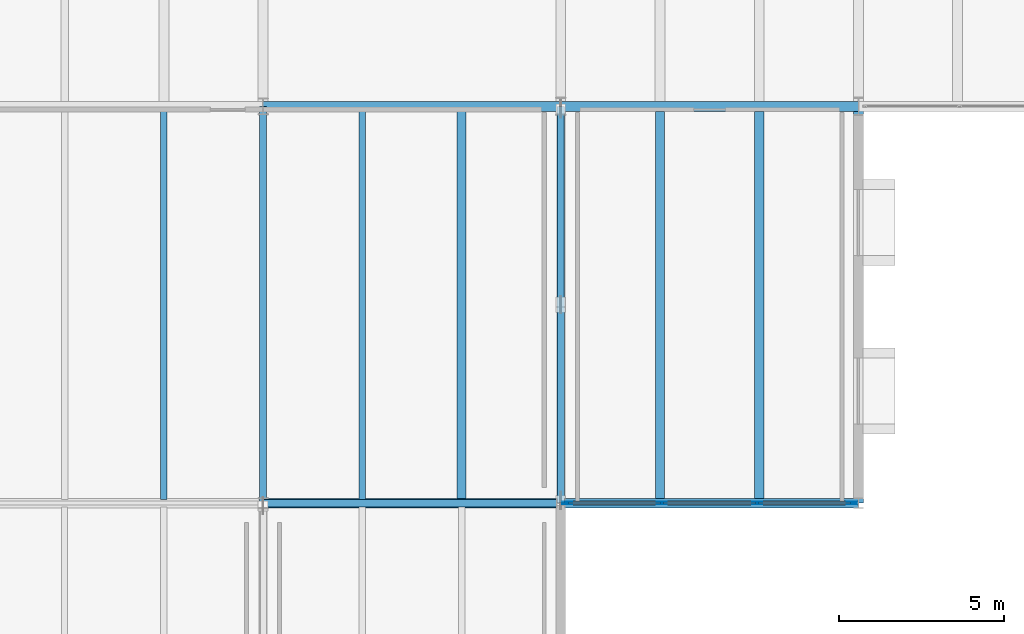
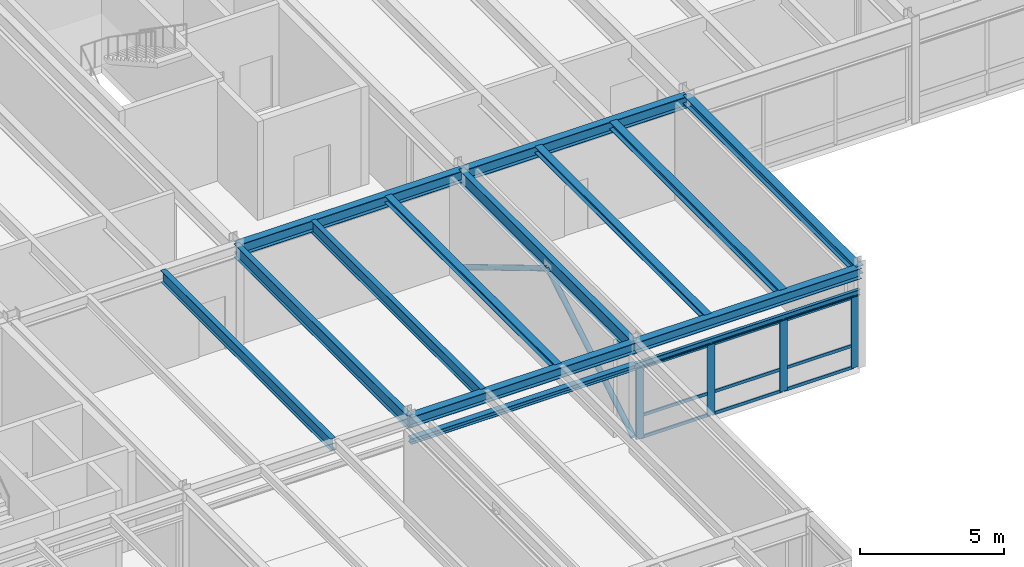
# One storey, part 81 of 115: 15 members, 14 beams, 1 element without a shape of its own.
"""IFC4 building model written with IfcOpenShell, lengths in metres."""

import ifcopenshell
import ifcopenshell.guid

model = None  # the IFC model being written
_history = None  # IfcOwnerHistory: only IFC2X3 demands one
_inside = {}  # id of a spatial element -> (the spatial element, [elements in it])
_under = {}  # id of a project, library or spatial element -> (it, [spatial elements below it])
_declared = {}  # id of a project -> (the project, [libraries it declares])
_typed = {}  # id of a type object -> (the type object, [elements of that type])
_made_of = {}  # id of a material, layer set ... -> (it, [elements and type objects made of it])


def new_model(schema):
    """Start an empty IFC model of exactly this schema.

    Asked for "IFC4X3", IfcOpenShell would pick the latest addendum, in which some entities
    have other attributes; the version numbers below select the first issue.
    IFC2X3 requires an IfcOwnerHistory on every rooted entity: one is made here for all.
    """
    global model, _history
    if schema == "IFC4X3":
        model = ifcopenshell.file(schema_version=(4, 3, 0, 0))
    else:
        model = ifcopenshell.file(schema=schema)
    _inside.clear()
    _under.clear()
    _declared.clear()
    _typed.clear()
    _made_of.clear()
    _history = None
    if model.schema == "IFC2X3":
        org = make("IfcOrganization", Name="unknown")
        user = make(
            "IfcPersonAndOrganization",
            ThePerson=make("IfcPerson", FamilyName="unknown"),
            TheOrganization=org,
        )
        app = make(
            "IfcApplication",
            ApplicationDeveloper=org,
            Version="unknown",
            ApplicationFullName="unknown",
            ApplicationIdentifier="unknown",
        )
        _history = make(
            "IfcOwnerHistory",
            OwningUser=user,
            OwningApplication=app,
            ChangeAction="ADDED",
            CreationDate=0,
        )
    return model


def make(cls, **values):
    """One entity of the class cls with the attributes given. An attribute that is None is left unset."""
    return model.create_entity(
        cls, **{name: value for name, value in values.items() if value is not None}
    )


def rooted(cls, **values):
    """An entity with a GlobalId (a new one), such as an element, a storey or a relation."""
    return make(cls, GlobalId=ifcopenshell.guid.new(), OwnerHistory=_history, **values)


def si_unit(unit_type, name, prefix=None):
    """IfcSIUnit, for example si_unit("LENGTHUNIT", "METRE", prefix="MILLI")."""
    return make("IfcSIUnit", UnitType=unit_type, Prefix=prefix, Name=name)


def assignment(units):
    """IfcUnitAssignment: the units of a project."""
    return None if units is None else make("IfcUnitAssignment", Units=units)


def point(xyz):
    """IfcCartesianPoint."""
    return None if xyz is None else make("IfcCartesianPoint", Coordinates=xyz)


def direction(xyz):
    """IfcDirection."""
    return None if xyz is None else make("IfcDirection", DirectionRatios=xyz)


def frame(location, z_axis=None, x_axis=None):
    """IfcAxis2Placement3D, a coordinate frame: its origin and axes. An axis left out is left unset."""
    return make(
        "IfcAxis2Placement3D",
        Location=point(location),
        Axis=direction(z_axis),
        RefDirection=direction(x_axis),
    )


def frame_2d(location, x_axis=None):
    """IfcAxis2Placement2D, a coordinate frame in the plane: its origin and x axis."""
    return make(
        "IfcAxis2Placement2D", Location=point(location), RefDirection=direction(x_axis)
    )


def origin():
    """The frame at (0, 0, 0) with its axes left unset."""
    return frame((0.0, 0.0, 0.0))


def origin_2d():
    """The frame at (0, 0) in the plane with its x axis left unset."""
    return frame_2d((0.0, 0.0))


def place(relative_to, where):
    """IfcLocalPlacement: puts the frame where relative to a parent placement (None: the world)."""
    return make(
        "IfcLocalPlacement", PlacementRelTo=relative_to, RelativePlacement=where
    )


def context(
    kind, dimensions, precision=None, world=None, true_north=None, identifier=None
):
    """IfcGeometricRepresentationContext, for example the 3D "Model" context."""
    return make(
        "IfcGeometricRepresentationContext",
        ContextIdentifier=identifier,
        ContextType=kind,
        CoordinateSpaceDimension=dimensions,
        Precision=precision,
        WorldCoordinateSystem=world,
        TrueNorth=true_north,
    )


def subcontext(parent, identifier, kind, view, scale=None):
    """IfcGeometricRepresentationSubContext, for example "Body" below "Model"."""
    return make(
        "IfcGeometricRepresentationSubContext",
        ContextIdentifier=identifier,
        ContextType=kind,
        ParentContext=parent,
        TargetScale=scale,
        TargetView=view,
    )


def project(units=None, contexts=None):
    """IfcProject with its units and contexts."""
    return rooted(
        "IfcProject",
        Name="project",
        RepresentationContexts=contexts,
        UnitsInContext=assignment(units),
    )


def spatial(cls, under=None, at=None, **own):
    """A site, building, storey or space (cls), placed at a placement, below another one or the project."""
    s = rooted(cls, ObjectPlacement=at, **own)
    if under is not None:
        _under.setdefault(under.id(), (under, []))[1].append(s)
    return s


def profile(cls, at=None, kind="AREA", **sizes):
    """A parametric profile (cls). Its sizes go by their IFC names, for example OverallWidth=200.0."""
    return make(cls, ProfileType=kind, Position=at, **sizes)


def hollow_rectangle(**sizes):
    """IfcRectangleHollowProfileDef."""
    return profile("IfcRectangleHollowProfileDef", **sizes)


def hollow_circle(**sizes):
    """IfcCircleHollowProfileDef."""
    return profile("IfcCircleHollowProfileDef", **sizes)


def i_section(**sizes):
    """IfcIShapeProfileDef."""
    return profile("IfcIShapeProfileDef", **sizes)


def extrude(swept, where, along, depth):
    """IfcExtrudedAreaSolid: the profile swept, set in the frame where, extruded along a direction by depth."""
    return make(
        "IfcExtrudedAreaSolid",
        SweptArea=swept,
        Position=where,
        ExtrudedDirection=direction(along),
        Depth=depth,
    )


def shape(context_of_items, identifier, shape_type, items):
    """IfcShapeRepresentation: the items that make up one representation, for example the "Body"."""
    return make(
        "IfcShapeRepresentation",
        ContextOfItems=context_of_items,
        RepresentationIdentifier=identifier,
        RepresentationType=shape_type,
        Items=items,
    )


def material(Name=None, Category=None):
    """IfcMaterial."""
    return make("IfcMaterial", Name=Name, Category=Category)


def layer(
    of_material, thickness, ventilated=None, Name=None, Category=None, Priority=None
):
    """IfcMaterialLayer: one layer of a wall or slab, of a material (None: an air gap)."""
    return make(
        "IfcMaterialLayer",
        Material=of_material,
        LayerThickness=thickness,
        IsVentilated=ventilated,
        Name=Name,
        Category=Category,
        Priority=Priority,
    )


def layer_set(layers, Name=None):
    """IfcMaterialLayerSet."""
    return make("IfcMaterialLayerSet", MaterialLayers=layers, LayerSetName=Name)


def material_profile(
    of_material, cross_section, Name=None, Category=None, Priority=None
):
    """IfcMaterialProfile: a cross section and its material."""
    return make(
        "IfcMaterialProfile",
        Name=Name,
        Material=of_material,
        Profile=cross_section,
        Priority=Priority,
        Category=Category,
    )


def profile_set(profiles, Name=None, composite=None):
    """IfcMaterialProfileSet."""
    return make(
        "IfcMaterialProfileSet",
        Name=Name,
        MaterialProfiles=profiles,
        CompositeProfile=composite,
    )


def made_of(thing, what):
    """Note that an element or type object is made of a material, layer set ...; save() writes the relation."""
    if what is not None:
        _made_of.setdefault(what.id(), (what, []))[1].append(thing)
    return thing


def type_object(cls, material=None, **own):
    """A type object (cls), such as IfcWallType, which elements share."""
    return made_of(rooted(cls, **own), material)


def element(
    cls,
    number,
    at=None,
    inside=None,
    cuts=None,
    type_object=None,
    material=None,
    context=None,
    identifier="Body",
    shape_type=None,
    held_by="IfcProductDefinitionShape",
    body=None,
    shapes=None,
    **own,
):
    """One element of the class cls, such as IfcWall. Its Tag is "e" and its number.

    at: its placement. inside: the storey or other place that contains it. cuts: it is an
    opening in that element (IfcRelVoidsElement). A single representation is given by context,
    identifier, shape_type and body (its items); several are given by shapes. held_by: the class
    of the entity that holds the representations. save() writes the other relations.
    """
    e = rooted(cls, Tag="e%d" % number, ObjectPlacement=at, **own)
    if body is not None:
        shapes = [shape(context, identifier, shape_type, body)]
    if shapes is not None:
        e.Representation = make(held_by, Representations=shapes)
    if inside is not None:
        _inside.setdefault(inside.id(), (inside, []))[1].append(e)
    if cuts is not None:
        rooted(
            "IfcRelVoidsElement", RelatingBuildingElement=cuts, RelatedOpeningElement=e
        )
    if type_object is not None:
        _typed.setdefault(type_object.id(), (type_object, []))[1].append(e)
    return made_of(e, material)


def aggregate(whole, parts):
    """IfcRelAggregates: a whole, such as a stair, and the parts it consists of."""
    return rooted("IfcRelAggregates", RelatingObject=whole, RelatedObjects=parts)


def save(model, path):
    """Write the relations noted so far, then the file.

    IfcRelAggregates (storeys below a building ...), IfcRelContainedInSpatialStructure (elements
    in a storey), IfcRelDefinesByType, IfcRelAssociatesMaterial and IfcRelDeclares: one each for
    every whole, place, type object, material and project.
    """
    for whole, parts in _under.values():
        aggregate(whole, parts)
    for where, things in _inside.values():
        rooted(
            "IfcRelContainedInSpatialStructure",
            RelatedElements=things,
            RelatingStructure=where,
        )
    for kind, things in _typed.values():
        rooted("IfcRelDefinesByType", RelatedObjects=things, RelatingType=kind)
    for what, things in _made_of.values():
        rooted("IfcRelAssociatesMaterial", RelatedObjects=things, RelatingMaterial=what)
    for by, libraries in _declared.values():
        rooted("IfcRelDeclares", RelatingContext=by, RelatedDefinitions=libraries)
    model.write(path)


model = new_model("IFC4")

# Units and contexts
model_context = context("Model", 3, precision=1e-05, world=origin(), true_north=direction((0.0, 1.0)))
body_context = subcontext(model_context, "Body", "Model", "MODEL_VIEW")
ifc_project = project(units=[si_unit("LENGTHUNIT", "METRE"), si_unit("AREAUNIT", "SQUARE_METRE"), si_unit("VOLUMEUNIT", "CUBIC_METRE"), si_unit("PLANEANGLEUNIT", "RADIAN"), si_unit("MASSUNIT", "GRAM", prefix="KILO")], contexts=[model_context])

# Site, building, storey
site_placement = place(None, origin())
site = spatial("IfcSite", under=ifc_project, at=site_placement, CompositionType="ELEMENT")
building_placement = place(site_placement, origin())
building = spatial("IfcBuilding", under=site, at=building_placement, Name="Montelvaro Courts of Justice", CompositionType="ELEMENT")
storey_placement = place(building_placement, frame((0.0, 0.0, 9.89990234375)))
storey = spatial("IfcBuildingStorey", under=building, at=storey_placement, Name="L02", CompositionType="ELEMENT", Elevation=9.89990234375)

# Beams
ifc_material_1 = material(Name="Steel S355", Category="steel")
ifc_material_profile_1 = material_profile(ifc_material_1, i_section(OverallWidth=0.239990234375, OverallDepth=0.22998046875, WebThickness=0.007568359375, FlangeThickness=0.011962890625, at=origin_2d()), Name="HEA 240")
ifc_profile_set_1 = profile_set([ifc_material_profile_1], Name="Steel S355")
beam_type_1 = type_object("IfcBeamType", Name="Beam_HEA240", PredefinedType="LINTEL", material=ifc_profile_set_1)
beam_1_placement = place(storey_placement, frame((117.0, 66.0, 3.135009765625), z_axis=(1.0, 0.0, 0.0), x_axis=(0.0, 1.0, 0.0)))
element("IfcBeam", 1, at=beam_1_placement, inside=storey, type_object=beam_type_1, Name="Beam B-13 L02", PredefinedType="LINTEL", context=body_context, shape_type="SweptSolid", body=[
    extrude(i_section(OverallWidth=0.239990234375, OverallDepth=0.22998046875, WebThickness=0.007568359375, FlangeThickness=0.011962890625, at=origin_2d()), origin(), (0.0, 0.0, 1.0), 9.0),
])
ifc_material_profile_2 = material_profile(ifc_material_1, i_section(OverallWidth=0.280029296875, OverallDepth=0.27001953125, WebThickness=0.008056640625, FlangeThickness=0.012939453125, at=origin_2d()), Name="HEA 280")
ifc_profile_set_2 = profile_set([ifc_material_profile_2], Name="Steel S355")
beam_type_2 = type_object("IfcBeamType", Name="Beam_HEA280", PredefinedType="BEAM", material=ifc_profile_set_2)
for number, where, z_axis, x_axis, name in (
    (2, (123.0, 66.110107421875, 4.065185546875), (0.0, 1.0, 0.0), (-1.0, 0.0, 0.0), "Beam B-14 L02"),
    (3, (129.0, 66.110107421875, 4.065185546875), (0.0, 1.0, 0.0), (-1.0, 0.0, 0.0), "Beam B-14 L02"),
):
    element("IfcBeam", number, at=place(storey_placement, frame(where, z_axis=z_axis, x_axis=x_axis)), inside=storey, type_object=beam_type_2, Name=name, PredefinedType="BEAM", context=body_context, shape_type="SweptSolid", body=[
        extrude(i_section(OverallWidth=0.280029296875, OverallDepth=0.27001953125, WebThickness=0.008056640625, FlangeThickness=0.012939453125, at=origin_2d()), origin(), (0.0, 0.0, 1.0), 11.77978515625),
    ])
ifc_material_profile_3 = material_profile(ifc_material_1, i_section(OverallWidth=0.300048828125, OverallDepth=0.31005859375, WebThickness=0.009033203125, FlangeThickness=0.015380859375, at=origin_2d()), Name="HEA 320")
ifc_profile_set_3 = profile_set([ifc_material_profile_3], Name="Steel S355")
beam_type_3 = type_object("IfcBeamType", Name="Beam_HEA320", PredefinedType="BEAM", material=ifc_profile_set_3)
beam_2_placement = place(storey_placement, frame((132.0, 66.110107421875, 4.045166015625), z_axis=(0.0, 1.0, 0.0), x_axis=(-1.0, 0.0, 0.0)))
element("IfcBeam", 4, at=beam_2_placement, inside=storey, type_object=beam_type_3, Name="Beam B-15 L02", PredefinedType="BEAM", context=body_context, shape_type="SweptSolid", body=[
    extrude(i_section(OverallWidth=0.300048828125, OverallDepth=0.31005859375, WebThickness=0.009033203125, FlangeThickness=0.015380859375, at=origin_2d()), origin(), (0.0, 0.0, 1.0), 11.77978515625),
])
ifc_material_profile_4 = material_profile(ifc_material_1, i_section(OverallWidth=0.300048828125, OverallDepth=0.35009765625, WebThickness=0.010009765625, FlangeThickness=0.017578125, at=origin_2d()), Name="HEA 360")
ifc_profile_set_4 = profile_set([ifc_material_profile_4], Name="Steel S355")
beam_type_4 = type_object("IfcBeamType", Name="Beam_HEA360", PredefinedType="USERDEFINED", material=ifc_profile_set_4)
beam_3_placement = place(storey_placement, frame((135.0, 66.0, 4.025146484375), z_axis=(0.0, 1.0, 0.0), x_axis=(-1.0, 0.0, 0.0)))
element("IfcBeam", 5, at=beam_3_placement, inside=storey, type_object=beam_type_4, Name="Beam B-16 L02", ObjectType="GIRDER", PredefinedType="USERDEFINED", context=body_context, shape_type="SweptSolid", body=[
    extrude(i_section(OverallWidth=0.300048828125, OverallDepth=0.35009765625, WebThickness=0.010009765625, FlangeThickness=0.017578125, at=origin_2d()), origin(), (0.0, 0.0, 1.0), 12.0),
])
ifc_material_profile_5 = material_profile(ifc_material_1, i_section(OverallWidth=0.300048828125, OverallDepth=0.43994140625, WebThickness=0.011474609375, FlangeThickness=0.02099609375, at=origin_2d()), Name="HEA 450")
ifc_profile_set_5 = profile_set([ifc_material_profile_5], Name="Steel S355")
beam_type_5 = type_object("IfcBeamType", Name="Beam_HEA450", PredefinedType="USERDEFINED", material=ifc_profile_set_5)
for number, where, z_axis, x_axis, name in (
    (6, (117.0, 66.0, 3.97998046875), (1.0, 0.0, 0.0), (0.0, 1.0, 0.0), "Beam B-18 L02"),
    (7, (126.0, 66.0, 3.97998046875), (1.0, 0.0, 0.0), (0.0, 1.0, 0.0), "Beam B-18 L02"),
):
    element("IfcBeam", number, at=place(storey_placement, frame(where, z_axis=z_axis, x_axis=x_axis)), inside=storey, type_object=beam_type_5, Name=name, ObjectType="GIRDER", PredefinedType="USERDEFINED", context=body_context, shape_type="SweptSolid", body=[
        extrude(i_section(OverallWidth=0.300048828125, OverallDepth=0.43994140625, WebThickness=0.011474609375, FlangeThickness=0.02099609375, at=origin_2d()), origin(), (0.0, 0.0, 1.0), 9.0),
    ])
ifc_material_profile_6 = material_profile(ifc_material_1, i_section(OverallWidth=0.300048828125, OverallDepth=0.489990234375, WebThickness=0.011962890625, FlangeThickness=0.02294921875, at=origin_2d()), Name="HEA 500")
ifc_profile_set_6 = profile_set([ifc_material_profile_6], Name="Steel S355")
beam_type_6 = type_object("IfcBeamType", Name="Beam_HEA500", PredefinedType="USERDEFINED", material=ifc_profile_set_6)
for number, where, z_axis, x_axis, name in (
    (8, (117.0, 78.0, 3.955078125), (1.0, 0.0, 0.0), (0.0, 1.0, 0.0), "Beam B-19 L02"),
    (9, (126.0, 78.0, 3.955078125), (1.0, 0.0, 0.0), (0.0, 1.0, 0.0), "Beam B-19 L02"),
):
    element("IfcBeam", number, at=place(storey_placement, frame(where, z_axis=z_axis, x_axis=x_axis)), inside=storey, type_object=beam_type_6, Name=name, ObjectType="GIRDER", PredefinedType="USERDEFINED", context=body_context, shape_type="SweptSolid", body=[
        extrude(i_section(OverallWidth=0.300048828125, OverallDepth=0.489990234375, WebThickness=0.011962890625, FlangeThickness=0.02294921875, at=origin_2d()), origin(), (0.0, 0.0, 1.0), 9.0),
    ])
ifc_material_profile_7 = material_profile(ifc_material_1, i_section(OverallWidth=0.1201171875, OverallDepth=0.239990234375, WebThickness=0.006103515625, FlangeThickness=0.009765625, at=origin_2d()), Name="IPE 240")
ifc_profile_set_7 = profile_set([ifc_material_profile_7], Name="Steel S355")
beam_type_7 = type_object("IfcBeamType", Name="Beam_IPE240", PredefinedType="LINTEL", material=ifc_profile_set_7)
beam_4_placement = place(storey_placement, frame((126.0, 66.0, 3.130126953125), z_axis=(1.0, 0.0, 0.0), x_axis=(0.0, 1.0, 0.0)))
element("IfcBeam", 10, at=beam_4_placement, inside=storey, type_object=beam_type_7, Name="Beam B-03 L02", PredefinedType="LINTEL", context=body_context, shape_type="SweptSolid", body=[
    extrude(i_section(OverallWidth=0.1201171875, OverallDepth=0.239990234375, WebThickness=0.006103515625, FlangeThickness=0.009765625, at=origin_2d()), origin(), (0.0, 0.0, 1.0), 9.0),
])
ifc_material_profile_8 = material_profile(ifc_material_1, i_section(OverallWidth=0.199951171875, OverallDepth=0.5, WebThickness=0.01025390625, FlangeThickness=0.01611328125, at=origin_2d()), Name="IPE 500")
ifc_profile_set_8 = profile_set([ifc_material_profile_8], Name="Steel S355")
beam_type_8 = type_object("IfcBeamType", Name="Beam_IPE500", PredefinedType="BEAM", material=ifc_profile_set_8)
for number, where, z_axis, x_axis, name in (
    (11, (114.0, 66.110107421875, 3.9501953125), (0.0, 1.0, 0.0), (-1.0, 0.0, 0.0), "Beam B-10 L02"),
    (12, (120.0, 66.110107421875, 3.9501953125), (0.0, 1.0, 0.0), (-1.0, 0.0, 0.0), "Beam B-10 L02"),
):
    element("IfcBeam", number, at=place(storey_placement, frame(where, z_axis=z_axis, x_axis=x_axis)), inside=storey, type_object=beam_type_8, Name=name, PredefinedType="BEAM", context=body_context, shape_type="SweptSolid", body=[
        extrude(i_section(OverallWidth=0.199951171875, OverallDepth=0.5, WebThickness=0.01025390625, FlangeThickness=0.01611328125, at=origin_2d()), origin(), (0.0, 0.0, 1.0), 11.77978515625),
    ])
ifc_material_profile_9 = material_profile(ifc_material_1, i_section(OverallWidth=0.2099609375, OverallDepth=0.550048828125, WebThickness=0.010986328125, FlangeThickness=0.01708984375, at=origin_2d()), Name="IPE 550")
ifc_profile_set_9 = profile_set([ifc_material_profile_9], Name="Steel S355")
beam_type_9 = type_object("IfcBeamType", Name="Beam_IPE550", PredefinedType="BEAM", material=ifc_profile_set_9)
beam_5_placement = place(storey_placement, frame((117.0, 66.0, 3.925048828125), z_axis=(0.0, 1.0, 0.0), x_axis=(-1.0, 0.0, 0.0)))
element("IfcBeam", 13, at=beam_5_placement, inside=storey, type_object=beam_type_9, Name="Beam B-11 L02", PredefinedType="BEAM", context=body_context, shape_type="SweptSolid", body=[
    extrude(i_section(OverallWidth=0.2099609375, OverallDepth=0.550048828125, WebThickness=0.010986328125, FlangeThickness=0.01708984375, at=origin_2d()), origin(), (0.0, 0.0, 1.0), 12.0),
])
ifc_material_profile_10 = material_profile(ifc_material_1, i_section(OverallWidth=0.219970703125, OverallDepth=0.60009765625, WebThickness=0.011962890625, FlangeThickness=0.01904296875, at=origin_2d()), Name="IPE 600")
ifc_profile_set_10 = profile_set([ifc_material_profile_10], Name="Steel S355")
beam_type_10 = type_object("IfcBeamType", Name="Beam_IPE600", PredefinedType="USERDEFINED", material=ifc_profile_set_10)
beam_6_placement = place(storey_placement, frame((126.0, 66.0, 3.900146484375), z_axis=(0.0, 1.0, 0.0), x_axis=(-1.0, 0.0, 0.0)))
element("IfcBeam", 14, at=beam_6_placement, inside=storey, type_object=beam_type_10, Name="Beam B-12 L02", ObjectType="GIRDER", PredefinedType="USERDEFINED", context=body_context, shape_type="SweptSolid", body=[
    extrude(i_section(OverallWidth=0.219970703125, OverallDepth=0.60009765625, WebThickness=0.011962890625, FlangeThickness=0.01904296875, at=origin_2d()), origin(), (0.0, 0.0, 1.0), 12.0),
])

# Curtain wall, members
ifc_material_2 = material(Name="Anodised aluminium EN AW-6063", Category="aluminium")
ifc_layer = layer(ifc_material_2, 0.159912109375)
ifc_layer_set = layer_set([ifc_layer], Name="Anodised aluminium EN AW-6063")
curtain_wall_type = type_object("IfcCurtainWallType", Name="CurtainWall_18_868x418", PredefinedType="USERDEFINED", material=ifc_layer_set)
curtain_wall_placement = place(storey_placement, origin())
curtain_wall = element("IfcCurtainWall", 15, at=curtain_wall_placement, inside=storey, type_object=curtain_wall_type, Name="Curtain Wall CW-18 (L02)", ObjectType="CURTAIN WALL", PredefinedType="USERDEFINED")
ifc_material_profile_11 = material_profile(ifc_material_2, hollow_rectangle(XDim=0.074951171875, YDim=0.300048828125, WallThickness=0.006103515625, at=origin_2d()), Name="ALU-M 75x300")
ifc_profile_set_11 = profile_set([ifc_material_profile_11], Name="Anodised aluminium EN AW-6063")
member_type_1 = type_object("IfcMemberType", Name="CurtainWall_Mullion_75x300", PredefinedType="MULLION", material=ifc_profile_set_11)
member_1_placement = place(storey_placement, frame((126.1923828125, 66.0, 0.0), z_axis=(0.0, 0.0, 1.0), x_axis=(0.0, 1.0, 0.0)))
member_1 = element("IfcMember", 16, at=member_1_placement, type_object=member_type_1, Name="CW-18 mullion 1", PredefinedType="MULLION", context=body_context, shape_type="SweptSolid", body=[
    extrude(hollow_rectangle(XDim=0.074951171875, YDim=0.300048828125, WallThickness=0.006103515625, at=origin_2d()), origin(), (0.0, 0.0, 1.0), 3.005126953125),
])
member_2_placement = place(storey_placement, frame((129.04833984375, 66.0, 0.0), z_axis=(0.0, 0.0, 1.0), x_axis=(0.0, 1.0, 0.0)))
member_2 = element("IfcMember", 17, at=member_2_placement, type_object=member_type_1, Name="CW-18 mullion 2", PredefinedType="MULLION", context=body_context, shape_type="SweptSolid", body=[
    extrude(hollow_rectangle(XDim=0.074951171875, YDim=0.300048828125, WallThickness=0.006103515625, at=origin_2d()), origin(), (0.0, 0.0, 1.0), 3.005126953125),
])
member_3_placement = place(storey_placement, frame((131.941650390625, 66.0, 0.0), z_axis=(0.0, 0.0, 1.0), x_axis=(0.0, 1.0, 0.0)))
member_3 = element("IfcMember", 18, at=member_3_placement, type_object=member_type_1, Name="CW-18 mullion 3", PredefinedType="MULLION", context=body_context, shape_type="SweptSolid", body=[
    extrude(hollow_rectangle(XDim=0.074951171875, YDim=0.300048828125, WallThickness=0.006103515625, at=origin_2d()), origin(), (0.0, 0.0, 1.0), 3.005126953125),
])
member_4_placement = place(storey_placement, frame((134.797607421875, 66.0, 0.0), z_axis=(0.0, 0.0, 1.0), x_axis=(0.0, 1.0, 0.0)))
member_4 = element("IfcMember", 19, at=member_4_placement, type_object=member_type_1, Name="CW-18 mullion 4", PredefinedType="MULLION", context=body_context, shape_type="SweptSolid", body=[
    extrude(hollow_rectangle(XDim=0.074951171875, YDim=0.300048828125, WallThickness=0.006103515625, at=origin_2d()), origin(), (0.0, 0.0, 1.0), 3.005126953125),
])
ifc_material_profile_12 = material_profile(ifc_material_2, hollow_rectangle(XDim=0.06005859375, YDim=0.1298828125, WallThickness=0.00390625, at=origin_2d()), Name="ALU-T 60x130")
ifc_profile_set_12 = profile_set([ifc_material_profile_12], Name="Anodised aluminium EN AW-6063")
member_type_2 = type_object("IfcMemberType", Name="CurtainWall_Transom_60x130", PredefinedType="USERDEFINED", material=ifc_profile_set_12)
member_5_placement = place(storey_placement, frame((126.22998046875, 66.0, 0.030029296875), z_axis=(1.0, 0.0, 0.0), x_axis=(0.0, 1.0, 0.0)))
member_5 = element("IfcMember", 20, at=member_5_placement, type_object=member_type_2, Name="CW-18 transom 1.1", ObjectType="TRANSOM", PredefinedType="USERDEFINED", context=body_context, shape_type="SweptSolid", body=[
    extrude(hollow_rectangle(XDim=0.06005859375, YDim=0.1298828125, WallThickness=0.00390625, at=origin_2d()), origin(), (0.0, 0.0, 1.0), 2.78076171875),
])
member_6_placement = place(storey_placement, frame((126.22998046875, 66.0, 0.9501953125), z_axis=(1.0, 0.0, 0.0), x_axis=(0.0, 1.0, 0.0)))
member_6 = element("IfcMember", 21, at=member_6_placement, type_object=member_type_2, Name="CW-18 transom 1.2", ObjectType="TRANSOM", PredefinedType="USERDEFINED", context=body_context, shape_type="SweptSolid", body=[
    extrude(hollow_rectangle(XDim=0.06005859375, YDim=0.1298828125, WallThickness=0.00390625, at=origin_2d()), origin(), (0.0, 0.0, 1.0), 2.78076171875),
])
member_7_placement = place(storey_placement, frame((126.22998046875, 66.0, 2.97509765625), z_axis=(1.0, 0.0, 0.0), x_axis=(0.0, 1.0, 0.0)))
member_7 = element("IfcMember", 22, at=member_7_placement, type_object=member_type_2, Name="CW-18 transom 1.3", ObjectType="TRANSOM", PredefinedType="USERDEFINED", context=body_context, shape_type="SweptSolid", body=[
    extrude(hollow_rectangle(XDim=0.06005859375, YDim=0.1298828125, WallThickness=0.00390625, at=origin_2d()), origin(), (0.0, 0.0, 1.0), 2.78076171875),
])
member_8_placement = place(storey_placement, frame((129.0859375, 66.0, 0.030029296875), z_axis=(1.0, 0.0, 0.0), x_axis=(0.0, 1.0, 0.0)))
member_8 = element("IfcMember", 23, at=member_8_placement, type_object=member_type_2, Name="CW-18 transom 2.1", ObjectType="TRANSOM", PredefinedType="USERDEFINED", context=body_context, shape_type="SweptSolid", body=[
    extrude(hollow_rectangle(XDim=0.06005859375, YDim=0.1298828125, WallThickness=0.00390625, at=origin_2d()), origin(), (0.0, 0.0, 1.0), 2.818115234375),
])
member_9_placement = place(storey_placement, frame((129.0859375, 66.0, 0.9501953125), z_axis=(1.0, 0.0, 0.0), x_axis=(0.0, 1.0, 0.0)))
member_9 = element("IfcMember", 24, at=member_9_placement, type_object=member_type_2, Name="CW-18 transom 2.2", ObjectType="TRANSOM", PredefinedType="USERDEFINED", context=body_context, shape_type="SweptSolid", body=[
    extrude(hollow_rectangle(XDim=0.06005859375, YDim=0.1298828125, WallThickness=0.00390625, at=origin_2d()), origin(), (0.0, 0.0, 1.0), 2.818115234375),
])
member_10_placement = place(storey_placement, frame((129.0859375, 66.0, 2.97509765625), z_axis=(1.0, 0.0, 0.0), x_axis=(0.0, 1.0, 0.0)))
member_10 = element("IfcMember", 25, at=member_10_placement, type_object=member_type_2, Name="CW-18 transom 2.3", ObjectType="TRANSOM", PredefinedType="USERDEFINED", context=body_context, shape_type="SweptSolid", body=[
    extrude(hollow_rectangle(XDim=0.06005859375, YDim=0.1298828125, WallThickness=0.00390625, at=origin_2d()), origin(), (0.0, 0.0, 1.0), 2.818115234375),
])
member_11_placement = place(storey_placement, frame((131.979248046875, 66.0, 0.030029296875), z_axis=(1.0, 0.0, 0.0), x_axis=(0.0, 1.0, 0.0)))
member_11 = element("IfcMember", 26, at=member_11_placement, type_object=member_type_2, Name="CW-18 transom 3.1", ObjectType="TRANSOM", PredefinedType="USERDEFINED", context=body_context, shape_type="SweptSolid", body=[
    extrude(hollow_rectangle(XDim=0.06005859375, YDim=0.1298828125, WallThickness=0.00390625, at=origin_2d()), origin(), (0.0, 0.0, 1.0), 2.78076171875),
])
member_12_placement = place(storey_placement, frame((131.979248046875, 66.0, 0.9501953125), z_axis=(1.0, 0.0, 0.0), x_axis=(0.0, 1.0, 0.0)))
member_12 = element("IfcMember", 27, at=member_12_placement, type_object=member_type_2, Name="CW-18 transom 3.2", ObjectType="TRANSOM", PredefinedType="USERDEFINED", context=body_context, shape_type="SweptSolid", body=[
    extrude(hollow_rectangle(XDim=0.06005859375, YDim=0.1298828125, WallThickness=0.00390625, at=origin_2d()), origin(), (0.0, 0.0, 1.0), 2.78076171875),
])
member_13_placement = place(storey_placement, frame((131.979248046875, 66.0, 2.97509765625), z_axis=(1.0, 0.0, 0.0), x_axis=(0.0, 1.0, 0.0)))
member_13 = element("IfcMember", 28, at=member_13_placement, type_object=member_type_2, Name="CW-18 transom 3.3", ObjectType="TRANSOM", PredefinedType="USERDEFINED", context=body_context, shape_type="SweptSolid", body=[
    extrude(hollow_rectangle(XDim=0.06005859375, YDim=0.1298828125, WallThickness=0.00390625, at=origin_2d()), origin(), (0.0, 0.0, 1.0), 2.78076171875),
])
aggregate(curtain_wall, [member_1, member_2, member_3, member_4, member_5, member_6, member_7, member_8, member_9, member_10, member_11, member_12, member_13])

# Members
ifc_material_profile_13 = material_profile(ifc_material_1, hollow_circle(Radius=0.109619140625, WallThickness=0.010009765625, at=origin_2d()), Name="CHS 219.1x10")
ifc_profile_set_13 = profile_set([ifc_material_profile_13], Name="Steel S355")
member_type_3 = type_object("IfcMemberType", Name="Mem_CHS219_Brace", PredefinedType="BRACE", material=ifc_profile_set_13)
for number, where, z_axis, x_axis, name in (
    (29, (126.0, 66.080078125, 0.080078125), (0.0, 0.858254015191, 0.513225141053), (-1.0, 0.0, 0.0), "Lateral Braced Frame CBF3 Diagonal 1 (L02)"),
    (30, (126.0, 77.919921875, 0.080078125), (0.0, -0.858254015191, 0.513225141053), (1.0, 0.0, 0.0), "Lateral Braced Frame CBF3 Diagonal 2 (L02)"),
):
    element("IfcMember", number, at=place(storey_placement, frame(where, z_axis=z_axis, x_axis=x_axis)), inside=storey, type_object=member_type_3, Name=name, PredefinedType="BRACE", context=body_context, shape_type="SweptSolid", body=[
        extrude(hollow_circle(Radius=0.109619140625, WallThickness=0.010009765625, at=origin_2d()), origin(), (0.0, 0.0, 1.0), 6.897705078125),
    ])

save(model, "model.ifc")
